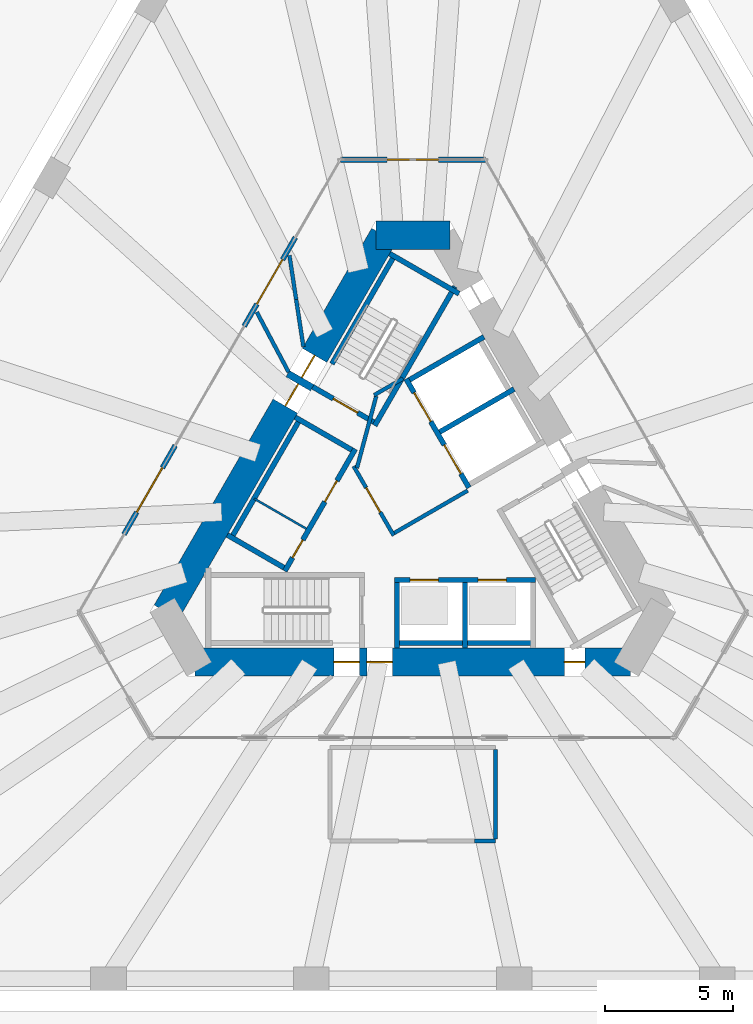
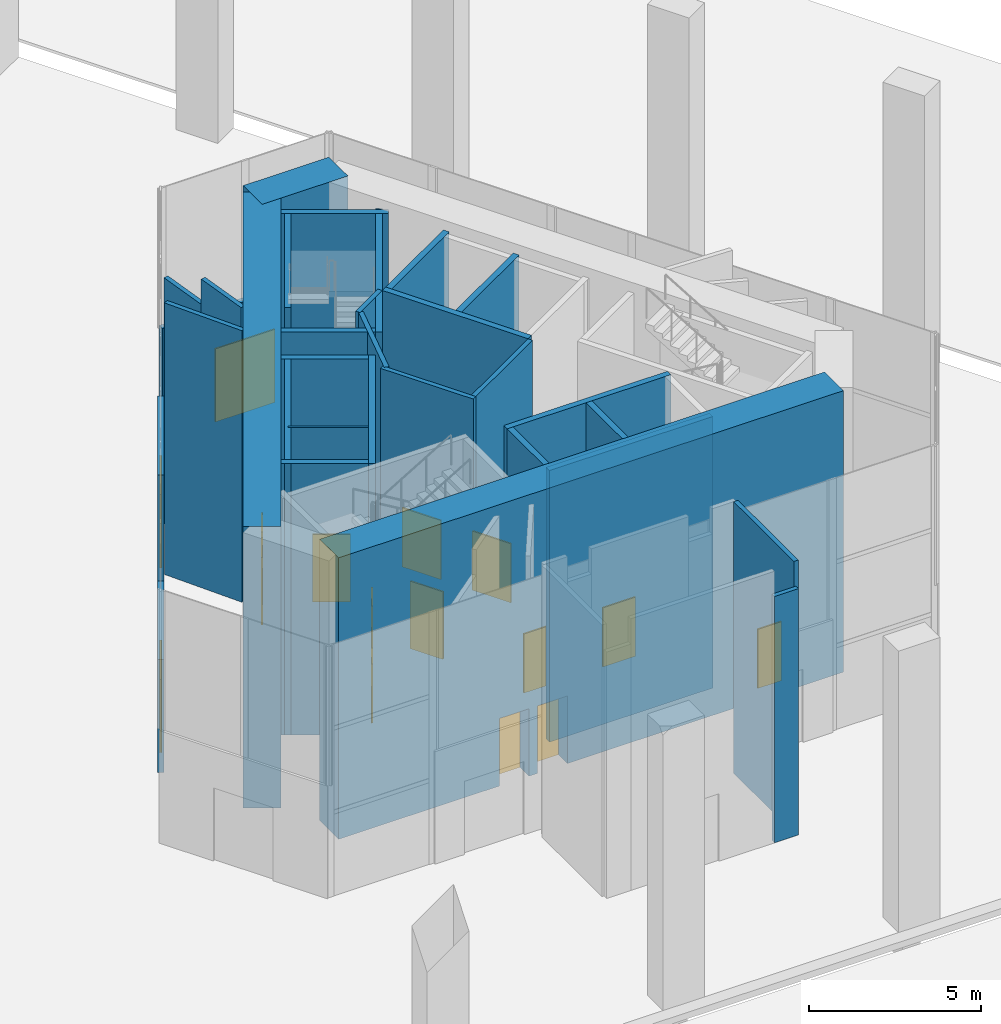
# One storey, part 8 of 13: 31 walls, 16 doors, 16 openings.
"""IFC4 building model written with IfcOpenShell, lengths in metres."""

from ifc_helpers import new_model, si_unit, direction, frame, frame_2d, origin, place, context, subcontext, project, spatial, rectangle, extrude, material, layer, layer_set, type_object, element, fill, save


model = new_model("IFC4")

# Units and contexts
model_context = context("Model", 3, precision=1e-05, world=origin(), true_north=direction((0.0, 1.0)))
body_context = subcontext(model_context, "Body", "Model", "MODEL_VIEW")
ifc_project = project(units=[si_unit("LENGTHUNIT", "METRE"), si_unit("AREAUNIT", "SQUARE_METRE"), si_unit("VOLUMEUNIT", "CUBIC_METRE"), si_unit("PLANEANGLEUNIT", "RADIAN"), si_unit("MASSUNIT", "GRAM", prefix="KILO")], contexts=[model_context])

# Site, building, storey
site_placement = place(None, origin())
site = spatial("IfcSite", under=ifc_project, at=site_placement, CompositionType="ELEMENT")
building_placement = place(site_placement, origin())
building = spatial("IfcBuilding", under=site, at=building_placement, Name="Tramontana Tower", CompositionType="ELEMENT")
storey_placement = place(building_placement, origin())
storey = spatial("IfcBuildingStorey", under=building, at=storey_placement, Name="L00", CompositionType="ELEMENT", Elevation=0.0)

# Wall
ifc_material_1 = material(Name="Concrete 70 MPa", Category="concrete")
ifc_layer_1 = layer(ifc_material_1, 1.10009765625)
ifc_layer_set_1 = layer_set([ifc_layer_1], Name="Core wall 1100 70 MPa")
wall_type_1 = type_object("IfcWallType", Name="Core wall 1100 70 MPa", PredefinedType="SHEAR", material=ifc_layer_set_1)
wall_1_placement = place(storey_placement, frame((1.443359375, 10.449951171875, 0.0), z_axis=(0.0, 0.0, 1.0), x_axis=(-1.0, 0.0, 0.0)))
element("IfcWall", 1, at=wall_1_placement, inside=storey, type_object=wall_type_1, Name="Core wall C0 L00", PredefinedType="SHEAR", context=body_context, shape_type="SweptSolid", body=[
    extrude(rectangle(XDim=2.88671875, YDim=1.10009765625, at=frame_2d((1.443359375, 0.0))), origin(), (0.0, 0.0, 1.0), 10.0),
])

# Wall, openings, doors
wall_2_placement = place(storey_placement, frame((-1.125732421875, 10.449951171875, 0.0), z_axis=(0.0, 0.0, 1.0), x_axis=(-0.500001757713, -0.866024388966, 0.0)))
wall_2 = element("IfcWall", 2, at=wall_2_placement, inside=storey, type_object=wall_type_1, Name="Core wall C1 L00", PredefinedType="SHEAR", context=body_context, shape_type="SweptSolid", body=[
    extrude(rectangle(XDim=16.97412109375, YDim=1.10009765625, at=frame_2d((8.487060546875, 0.0))), origin(), (0.0, 0.0, 1.0), 10.0),
])
opening_1_placement = place(wall_2_placement, frame((5.406982421875, 0.0, 0.0)))
opening_1 = element("IfcOpeningElement", 3, at=opening_1_placement, cuts=wall_2, Name="Opening SE1", PredefinedType="OPENING", context=body_context, shape_type="SweptSolid", body=[
    extrude(rectangle(XDim=1.0, YDim=2.39990234375, at=frame_2d((0.5, 1.199951171875))), frame((0.0, 0.56005859375, 0.0), z_axis=(0.0, -1.0, 0.0), x_axis=(1.0, 0.0, 0.0)), (0.0, 0.0, 1.0), 1.1201171875),
])
opening_2_placement = place(wall_2_placement, frame((6.692138671875, 0.0, 0.0)))
opening_2 = element("IfcOpeningElement", 4, at=opening_2_placement, cuts=wall_2, Name="Opening RG1", PredefinedType="OPENING", context=body_context, shape_type="SweptSolid", body=[
    extrude(rectangle(XDim=1.0, YDim=2.39990234375, at=frame_2d((0.5, 1.199951171875))), frame((0.0, 0.56005859375, 0.0), z_axis=(0.0, -1.0, 0.0), x_axis=(1.0, 0.0, 0.0)), (0.0, 0.0, 1.0), 1.1201171875),
])
ifc_material_2 = material(Name="Painted steel", Category="steel")
door_type_1 = type_object("IfcDoorType", Name="RING DOOR 1000", OperationType="SINGLE_SWING_LEFT", PredefinedType="DOOR", material=ifc_material_2)
door_1_placement = place(opening_2_placement, origin())
door_1 = element("IfcDoor", 5, at=door_1_placement, inside=storey, type_object=door_type_1, Name="Door RG1", OperationType="SINGLE_SWING_LEFT", OverallHeight=2.39990234375, OverallWidth=1.0, PredefinedType="DOOR", context=body_context, shape_type="SweptSolid", body=[
    extrude(rectangle(XDim=1.0, YDim=2.39990234375, at=frame_2d((0.5, 1.199951171875))), frame((0.0, 0.02490234375, 0.0), z_axis=(0.0, -1.0, 0.0), x_axis=(1.0, 0.0, 0.0)), (0.0, 0.0, 1.0), 0.050048828125),
])
fill(opening_2, door_1)
ifc_material_3 = material(Name="Painted steel", Category="steel")
door_type_2 = type_object("IfcDoorType", Name="STAIR DOOR 1100", OperationType="SINGLE_SWING_LEFT", PredefinedType="DOOR", material=ifc_material_3)
door_2_placement = place(opening_1_placement, origin())
door_2 = element("IfcDoor", 6, at=door_2_placement, inside=storey, type_object=door_type_2, Name="Door SE1", OperationType="SINGLE_SWING_LEFT", OverallHeight=2.39990234375, OverallWidth=1.0, PredefinedType="DOOR", context=body_context, shape_type="SweptSolid", body=[
    extrude(rectangle(XDim=1.0, YDim=2.39990234375, at=frame_2d((0.5, 1.199951171875))), frame((0.0, 0.02490234375, 0.0), z_axis=(0.0, -1.0, 0.0), x_axis=(1.0, 0.0, 0.0)), (0.0, 0.0, 1.0), 0.050048828125),
])
fill(opening_1, door_2)

wall_3_placement = place(storey_placement, frame((-8.487060546875, -6.199951171875, 0.0), z_axis=(0.0, 0.0, 1.0), x_axis=(1.0, 0.0, 0.0)))
wall_3 = element("IfcWall", 7, at=wall_3_placement, inside=storey, type_object=wall_type_1, Name="Core wall C3 L00", PredefinedType="SHEAR", context=body_context, shape_type="SweptSolid", body=[
    extrude(rectangle(XDim=16.97412109375, YDim=1.10009765625, at=frame_2d((8.487060546875, 0.0))), origin(), (0.0, 0.0, 1.0), 10.0),
])
opening_3_placement = place(wall_3_placement, frame((5.406982421875, 0.0, 0.0)))
opening_3 = element("IfcOpeningElement", 8, at=opening_3_placement, cuts=wall_3, Name="Opening SE2", PredefinedType="OPENING", context=body_context, shape_type="SweptSolid", body=[
    extrude(rectangle(XDim=1.0, YDim=2.39990234375, at=frame_2d((0.5, 1.199951171875))), frame((0.0, 0.56005859375, 0.0), z_axis=(0.0, -1.0, 0.0), x_axis=(1.0, 0.0, 0.0)), (0.0, 0.0, 1.0), 1.1201171875),
])
opening_4_placement = place(wall_3_placement, frame((6.69189453125, 0.0, 0.0)))
opening_4 = element("IfcOpeningElement", 9, at=opening_4_placement, cuts=wall_3, Name="Opening RG2", PredefinedType="OPENING", context=body_context, shape_type="SweptSolid", body=[
    extrude(rectangle(XDim=1.0, YDim=2.39990234375, at=frame_2d((0.5, 1.199951171875))), frame((0.0, 0.56005859375, 0.0), z_axis=(0.0, -1.0, 0.0), x_axis=(1.0, 0.0, 0.0)), (0.0, 0.0, 1.0), 1.1201171875),
])
opening_5_placement = place(wall_3_placement, frame((14.39697265625, 0.0, 0.0)))
opening_5 = element("IfcOpeningElement", 10, at=opening_5_placement, cuts=wall_3, Name="Opening PD2", PredefinedType="OPENING", context=body_context, shape_type="SweptSolid", body=[
    extrude(rectangle(XDim=0.800048828125, YDim=2.10009765625, at=frame_2d((0.39990234375, 1.050048828125))), frame((0.0, 0.56005859375, 0.0), z_axis=(0.0, -1.0, 0.0), x_axis=(1.0, 0.0, 0.0)), (0.0, 0.0, 1.0), 1.1201171875),
])
ifc_material_4 = material(Name="Painted steel", Category="steel")
door_type_3 = type_object("IfcDoorType", Name="CUPBOARD DOOR 800", OperationType="SINGLE_SWING_LEFT", PredefinedType="DOOR", material=ifc_material_4)
door_3_placement = place(opening_5_placement, origin())
door_3 = element("IfcDoor", 11, at=door_3_placement, inside=storey, type_object=door_type_3, Name="Door PD2", OperationType="SINGLE_SWING_RIGHT", OverallHeight=2.10009765625, OverallWidth=0.800048828125, PredefinedType="DOOR", context=body_context, shape_type="SweptSolid", body=[
    extrude(rectangle(XDim=0.800048828125, YDim=2.10009765625, at=frame_2d((0.39990234375, 1.050048828125))), frame((0.0, 0.02490234375, 0.0), z_axis=(0.0, -1.0, 0.0), x_axis=(1.0, 0.0, 0.0)), (0.0, 0.0, 1.0), 0.050048828125),
])
fill(opening_5, door_3)
door_4_placement = place(opening_4_placement, origin())
door_4 = element("IfcDoor", 12, at=door_4_placement, inside=storey, type_object=door_type_1, Name="Door RG2", OperationType="SINGLE_SWING_RIGHT", OverallHeight=2.39990234375, OverallWidth=1.0, PredefinedType="DOOR", context=body_context, shape_type="SweptSolid", body=[
    extrude(rectangle(XDim=1.0, YDim=2.39990234375, at=frame_2d((0.5, 1.199951171875))), frame((0.0, 0.02490234375, 0.0), z_axis=(0.0, -1.0, 0.0), x_axis=(1.0, 0.0, 0.0)), (0.0, 0.0, 1.0), 0.050048828125),
])
fill(opening_4, door_4)
door_5_placement = place(opening_3_placement, origin())
door_5 = element("IfcDoor", 13, at=door_5_placement, inside=storey, type_object=door_type_2, Name="Door SE2", OperationType="SINGLE_SWING_RIGHT", OverallHeight=2.39990234375, OverallWidth=1.0, PredefinedType="DOOR", context=body_context, shape_type="SweptSolid", body=[
    extrude(rectangle(XDim=1.0, YDim=2.39990234375, at=frame_2d((0.5, 1.199951171875))), frame((0.0, 0.02490234375, 0.0), z_axis=(0.0, -1.0, 0.0), x_axis=(1.0, 0.0, 0.0)), (0.0, 0.0, 1.0), 0.050048828125),
])
fill(opening_3, door_5)

# Wall, opening, door
ifc_material_5 = material(Name="Aluminum extrusion", Category="aluminium")
ifc_layer_2 = layer(ifc_material_5, 0.199951171875)
ifc_layer_set_2 = layer_set([ifc_layer_2], Name="EF1 Entrance frame wall 200")
wall_type_2 = type_object("IfcWallType", Name="EF1 Entrance frame wall 200", PredefinedType="STANDARD", material=ifc_layer_set_2)
wall_4_placement = place(storey_placement, frame((-11.267822265625, -1.216552734375, 0.0), z_axis=(0.0, 0.0, 1.0), x_axis=(0.49999894854, 0.866026010844, 0.0)))
wall_4 = element("IfcWall", 14, at=wall_4_placement, inside=storey, type_object=wall_type_2, Name="Entrance frame 3.1", PredefinedType="STANDARD", context=body_context, shape_type="SweptSolid", body=[
    extrude(rectangle(XDim=4.0, YDim=0.199951171875, at=frame_2d((2.0, 0.0))), origin(), (0.0, 0.0, 1.0), 4.0),
])
opening_6_placement = place(wall_4_placement, frame((1.0, 0.0, 0.0)))
opening_6 = element("IfcOpeningElement", 15, at=opening_6_placement, cuts=wall_4, Name="Opening ED-31", PredefinedType="OPENING", context=body_context, shape_type="SweptSolid", body=[
    extrude(rectangle(XDim=2.0, YDim=2.60009765625, at=frame_2d((1.0, 1.300048828125))), frame((0.0, 0.10986328125, 0.0), z_axis=(0.0, -1.0, 0.0), x_axis=(1.0, 0.0, 0.0)), (0.0, 0.0, 1.0), 0.219970703125),
])
ifc_material_6 = material(Name="Aluminum frame, double glazing unit", Category="aluminium")
door_type_4 = type_object("IfcDoorType", Name="ED1 Entrance door 2000 x 2600", OperationType="DOUBLE_DOOR_SINGLE_SWING", PredefinedType="DOOR", material=ifc_material_6)
door_6_placement = place(opening_6_placement, origin())
door_6 = element("IfcDoor", 16, at=door_6_placement, inside=storey, type_object=door_type_4, Name="Entrance door 3.1", OperationType="DOUBLE_DOOR_SINGLE_SWING", OverallHeight=2.60009765625, OverallWidth=2.0, PredefinedType="DOOR", context=body_context, shape_type="SweptSolid", body=[
    extrude(rectangle(XDim=2.0, YDim=2.60009765625, at=frame_2d((1.0, 1.300048828125))), frame((0.0, 0.02490234375, 0.0), z_axis=(0.0, -1.0, 0.0), x_axis=(1.0, 0.0, 0.0)), (0.0, 0.0, 1.0), 0.050048828125),
])
fill(opening_6, door_6)

wall_5_placement = place(storey_placement, frame((-6.580322265625, 6.90234375, 0.0), z_axis=(0.0, 0.0, 1.0), x_axis=(0.49999894854, 0.866026010844, 0.0)))
wall_5 = element("IfcWall", 17, at=wall_5_placement, inside=storey, type_object=wall_type_2, Name="Entrance frame 3.2", PredefinedType="STANDARD", context=body_context, shape_type="SweptSolid", body=[
    extrude(rectangle(XDim=4.0, YDim=0.199951171875, at=frame_2d((2.0, 0.0))), origin(), (0.0, 0.0, 1.0), 4.0),
])
opening_7_placement = place(wall_5_placement, frame((1.0, 0.0, 0.0)))
opening_7 = element("IfcOpeningElement", 18, at=opening_7_placement, cuts=wall_5, Name="Opening ED-32", PredefinedType="OPENING", context=body_context, shape_type="SweptSolid", body=[
    extrude(rectangle(XDim=2.0, YDim=2.60009765625, at=frame_2d((1.0, 1.300048828125))), frame((0.0, 0.10986328125, 0.0), z_axis=(0.0, -1.0, 0.0), x_axis=(1.0, 0.0, 0.0)), (0.0, 0.0, 1.0), 0.219970703125),
])
door_7_placement = place(opening_7_placement, origin())
door_7 = element("IfcDoor", 19, at=door_7_placement, inside=storey, type_object=door_type_4, Name="Entrance door 3.2", OperationType="DOUBLE_DOOR_SINGLE_SWING", OverallHeight=2.60009765625, OverallWidth=2.0, PredefinedType="DOOR", context=body_context, shape_type="SweptSolid", body=[
    extrude(rectangle(XDim=2.0, YDim=2.60009765625, at=frame_2d((1.0, 1.300048828125))), frame((0.0, 0.02490234375, 0.0), z_axis=(0.0, -1.0, 0.0), x_axis=(1.0, 0.0, 0.0)), (0.0, 0.0, 1.0), 0.050048828125),
])
fill(opening_7, door_7)

wall_6_placement = place(storey_placement, frame((-2.8291015625, 13.39990234375, 0.0), z_axis=(0.0, 0.0, 1.0), x_axis=(1.0, 0.0, 0.0)))
wall_6 = element("IfcWall", 20, at=wall_6_placement, inside=storey, type_object=wall_type_2, Name="Stair exit frame 3", PredefinedType="STANDARD", context=body_context, shape_type="SweptSolid", body=[
    extrude(rectangle(XDim=5.658203125, YDim=0.199951171875, at=frame_2d((2.8291015625, 0.0))), origin(), (0.0, 0.0, 1.0), 4.0),
])
opening_8_placement = place(wall_6_placement, frame((1.8291015625, 0.0, 0.0)))
opening_8 = element("IfcOpeningElement", 21, at=opening_8_placement, cuts=wall_6, Name="Opening ED-43", PredefinedType="OPENING", context=body_context, shape_type="SweptSolid", body=[
    extrude(rectangle(XDim=2.0, YDim=2.60009765625, at=frame_2d((1.0, 1.300048828125))), frame((0.0, 0.10986328125, 0.0), z_axis=(0.0, -1.0, 0.0), x_axis=(1.0, 0.0, 0.0)), (0.0, 0.0, 1.0), 0.219970703125),
])
door_8_placement = place(opening_8_placement, origin())
door_8 = element("IfcDoor", 22, at=door_8_placement, inside=storey, type_object=door_type_4, Name="Stair exit door 3", OperationType="DOUBLE_DOOR_SINGLE_SWING", OverallHeight=2.60009765625, OverallWidth=2.0, PredefinedType="DOOR", context=body_context, shape_type="SweptSolid", body=[
    extrude(rectangle(XDim=2.0, YDim=2.60009765625, at=frame_2d((1.0, 1.300048828125))), frame((0.0, 0.02490234375, 0.0), z_axis=(0.0, -1.0, 0.0), x_axis=(1.0, 0.0, 0.0)), (0.0, 0.0, 1.0), 0.050048828125),
])
fill(opening_8, door_8)

# Walls
ifc_material_7 = material(Name="Blockwork", Category="masonry")
ifc_layer_3 = layer(ifc_material_7, 0.14990234375)
ifc_layer_set_3 = layer_set([ifc_layer_3], Name="ENCLOSURE WALL 150")
wall_type_3 = type_object("IfcWallType", Name="ENCLOSURE WALL 150", PredefinedType="SOLIDWALL", material=ifc_layer_set_3)
wall_7_placement = place(storey_placement, frame((3.22509765625, -13.175048828125, 0.0), z_axis=(0.0, 0.0, 1.0), x_axis=(-1.0, 0.0, 0.0)))
element("IfcWall", 23, at=wall_7_placement, inside=storey, type_object=wall_type_3, Name="Wall fcc-out-0", PredefinedType="SOLIDWALL", context=body_context, shape_type="SweptSolid", body=[
    extrude(rectangle(XDim=0.8095703125, YDim=0.14990234375, at=frame_2d((0.40478515625, 0.0))), origin(), (0.0, 0.0, 1.0), 8.75),
])
wall_8_placement = place(storey_placement, frame((3.22509765625, -9.60009765625, 0.0), z_axis=(0.0, 0.0, 1.0), x_axis=(0.0, -1.0, 0.0)))
element("IfcWall", 24, at=wall_8_placement, inside=storey, type_object=wall_type_3, Name="Wall fcc-e0", PredefinedType="SOLIDWALL", context=body_context, shape_type="SweptSolid", body=[
    extrude(rectangle(XDim=3.5, YDim=0.14990234375, at=frame_2d((1.75, 0.0))), origin(), (0.0, 0.0, 1.0), 9.64990234375),
])
ifc_material_8 = material(Name="Gypsum board partition")
ifc_layer_4 = layer(ifc_material_8, 0.14990234375)
ifc_layer_set_4 = layer_set([ifc_layer_4], Name="PARTITION 150")
wall_type_4 = type_object("IfcWallType", Name="PARTITION 150", PredefinedType="PARTITIONING", material=ifc_layer_set_4)
wall_9_placement = place(storey_placement, frame((-4.26806640625, 6.107421875, 0.0), z_axis=(0.0, 0.0, 1.0), x_axis=(-0.151020047148, 0.988530700261, 0.0)))
element("IfcWall", 25, at=wall_9_placement, inside=storey, type_object=wall_type_4, Name="Wall exitp1-l-0", PredefinedType="PARTITIONING", context=body_context, shape_type="SweptSolid", body=[
    extrude(rectangle(XDim=1.857421875, YDim=0.14990234375, at=frame_2d((0.9287109375, 0.0))), origin(), (0.0, 0.0, 1.0), 9.64990234375),
])
wall_10_placement = place(storey_placement, frame((-4.548583984375, 7.943603515625, 0.0), z_axis=(0.0, 0.0, 1.0), x_axis=(-0.151067241463, 0.988523489127, 0.0)))
element("IfcWall", 26, at=wall_10_placement, inside=storey, type_object=wall_type_4, Name="Wall exitp1-l-1", PredefinedType="PARTITIONING", context=body_context, shape_type="SweptSolid", body=[
    extrude(rectangle(XDim=1.7421875, YDim=0.14990234375, at=frame_2d((0.87109375, 0.0))), origin(), (0.0, 0.0, 1.0), 8.75),
])
wall_11_placement = place(storey_placement, frame((-4.84326171875, 5.111328125, 0.0), z_axis=(0.0, 0.0, 1.0), x_axis=(-0.468272102551, 0.883584312883, 0.0)))
element("IfcWall", 27, at=wall_11_placement, inside=storey, type_object=wall_type_4, Name="Wall exitp1-r", PredefinedType="PARTITIONING", context=body_context, shape_type="SweptSolid", body=[
    extrude(rectangle(XDim=2.6552734375, YDim=0.14990234375, at=frame_2d((1.32763671875, 0.0))), origin(), (0.0, 0.0, 1.0), 9.64990234375),
])

# Wall, opening, door
wall_12_placement = place(storey_placement, frame((-0.744140625, -1.260986328125, 0.0), z_axis=(0.0, 0.0, 1.0), x_axis=(-0.500004234368, 0.866022959057, 0.0)))
wall_12 = element("IfcWall", 28, at=wall_12_placement, inside=storey, type_object=wall_type_4, Name="Wall ff-front", PredefinedType="PARTITIONING", context=body_context, shape_type="SweptSolid", body=[
    extrude(rectangle(XDim=3.125, YDim=0.14990234375, at=frame_2d((1.5625, 0.0))), origin(), (0.0, 0.0, 1.0), 9.64990234375),
])
opening_9_placement = place(wall_12_placement, frame((1.050048828125, 0.0, 0.0)))
opening_9 = element("IfcOpeningElement", 29, at=opening_9_placement, cuts=wall_12, Name="Opening FD1", PredefinedType="OPENING", context=body_context, shape_type="SweptSolid", body=[
    extrude(rectangle(XDim=1.10009765625, YDim=2.39990234375, at=frame_2d((0.550048828125, 1.199951171875))), frame((0.0, 0.0849609375, 0.0), z_axis=(0.0, -1.0, 0.0), x_axis=(1.0, 0.0, 0.0)), (0.0, 0.0, 1.0), 0.169921875),
])
ifc_material_9 = material(Name="Painted timber", Category="wood")
door_type_5 = type_object("IfcDoorType", Name="DOOR ENTRY 1100", OperationType="SINGLE_SWING_LEFT", PredefinedType="DOOR", material=ifc_material_9)
door_9_placement = place(opening_9_placement, origin())
door_9 = element("IfcDoor", 30, at=door_9_placement, inside=storey, type_object=door_type_5, Name="Door FD1", OperationType="SINGLE_SWING_RIGHT", OverallHeight=2.39990234375, OverallWidth=1.10009765625, PredefinedType="DOOR", context=body_context, shape_type="SweptSolid", body=[
    extrude(rectangle(XDim=1.10009765625, YDim=2.39990234375, at=frame_2d((0.550048828125, 1.199951171875))), frame((0.0, 0.02490234375, 0.0), z_axis=(0.0, -1.0, 0.0), x_axis=(1.0, 0.0, 0.0)), (0.0, 0.0, 1.0), 0.050048828125),
])
fill(opening_9, door_9)

# Walls
wall_13_placement = place(storey_placement, frame((-0.716796875, -1.15869140625, 0.0), z_axis=(0.0, 0.0, 1.0), x_axis=(0.866008176907, 0.50002983664, 0.0)))
element("IfcWall", 31, at=wall_13_placement, inside=storey, type_object=wall_type_4, Name="Wall ff-end0", PredefinedType="PARTITIONING", context=body_context, shape_type="SweptSolid", body=[
    extrude(rectangle(XDim=3.300048828125, YDim=0.14990234375, at=frame_2d((1.64990234375, 0.0))), origin(), (0.0, 0.0, 1.0), 9.64990234375),
])
wall_14_placement = place(storey_placement, frame((-2.177978515625, 1.372314453125, 0.0), z_axis=(0.0, 0.0, 1.0), x_axis=(0.258808958833, 0.96592852884, 0.0)))
element("IfcWall", 32, at=wall_14_placement, inside=storey, type_object=wall_type_4, Name="Wall ff-diag", PredefinedType="PARTITIONING", context=body_context, shape_type="SweptSolid", body=[
    extrude(rectangle(XDim=2.902587890625, YDim=0.14990234375, at=frame_2d((1.451171875, 0.0))), origin(), (0.0, 0.0, 1.0), 9.64990234375),
])
wall_15_placement = place(storey_placement, frame((-1.509765625, 4.21484375, 0.0), z_axis=(0.0, 0.0, 1.0), x_axis=(0.866085525409, 0.49989585183, 0.0)))
element("IfcWall", 33, at=wall_15_placement, inside=storey, type_object=wall_type_4, Name="Wall ff-end1", PredefinedType="PARTITIONING", context=body_context, shape_type="SweptSolid", body=[
    extrude(rectangle(XDim=1.300048828125, YDim=0.14990234375, at=frame_2d((0.64990234375, 0.0))), origin(), (0.0, 0.0, 1.0), 9.64990234375),
])
ifc_material_10 = material(Name="Gypsum board partition")
ifc_layer_5 = layer(ifc_material_10, 0.080078125)
ifc_layer_set_5 = layer_set([ifc_layer_5], Name="PARTITION 80")
wall_type_5 = type_object("IfcWallType", Name="PARTITION 80", PredefinedType="PARTITIONING", material=ifc_layer_set_5)
wall_16_placement = place(storey_placement, frame((-4.15478515625, -0.99609375, 0.0), z_axis=(0.0, 0.0, 1.0), x_axis=(-0.866016039709, 0.500016218704, 0.0)))
element("IfcWall", 34, at=wall_16_placement, inside=storey, type_object=wall_type_5, Name="Wall row0-split", PredefinedType="PARTITIONING", context=body_context, shape_type="SweptSolid", body=[
    extrude(rectangle(XDim=2.35009765625, YDim=0.080078125, at=frame_2d((1.175048828125, 0.0))), origin(), (0.0, 0.0, 1.0), 9.64990234375),
])
ifc_material_11 = material(Name="Concrete 70 MPa", Category="concrete")
ifc_layer_6 = layer(ifc_material_11, 0.199951171875)
ifc_layer_set_6 = layer_set([ifc_layer_6], Name="Concrete 70 MPa, 200 mm")
wall_type_6 = type_object("IfcWallType", Name="RC SHAFT BACK WALL 200", PredefinedType="SOLIDWALL", material=ifc_layer_set_6)
wall_17_placement = place(storey_placement, frame((-0.679931640625, 9.722412109375, 0.0), z_axis=(0.0, 0.0, 1.0), x_axis=(-0.499974350878, -0.866040211805, 0.0)))
element("IfcWall", 35, at=wall_17_placement, inside=storey, type_object=wall_type_6, Name="Wall st1-back", PredefinedType="SOLIDWALL", context=body_context, shape_type="SweptSolid", body=[
    extrude(rectangle(XDim=4.949951171875, YDim=0.199951171875, at=frame_2d((2.47509765625, 0.0))), origin(), (0.0, 0.0, 1.0), 9.64990234375),
])
for number, where, z_axis, x_axis, name in (
    (36, (-4.36474609375, 3.33984375, 0.0), (0.0, 0.0, 1.0), (-0.499996545922, -0.866027397988, 0.0), "Wall row0-back"),
    (37, (-0.7099609375, -5.449951171875, 0.0), (0.0, 0.0, 1.0), (1.0, 0.0, 0.0), "Wall row1-back"),
):
    element("IfcWall", number, at=place(storey_placement, frame(where, z_axis=z_axis, x_axis=x_axis)), inside=storey, type_object=wall_type_6, Name=name, PredefinedType="SOLIDWALL", context=body_context, shape_type="SweptSolid", body=[
        extrude(rectangle(XDim=5.5, YDim=0.199951171875, at=frame_2d((2.75, 0.0))), origin(), (0.0, 0.0, 1.0), 9.64990234375),
    ])
ifc_material_12 = material(Name="Concrete 70 MPa", Category="concrete")
ifc_layer_7 = layer(ifc_material_12, 0.199951171875)
ifc_layer_set_7 = layer_set([ifc_layer_7], Name="Concrete 70 MPa, 200 mm")
wall_type_7 = type_object("IfcWallType", Name="RC STAIR AND SHAFT WALL 200", PredefinedType="SOLIDWALL", material=ifc_layer_set_7)
wall_18_placement = place(storey_placement, frame((1.6455078125, 8.449951171875, 0.0), z_axis=(0.0, 0.0, 1.0), x_axis=(-0.500006002103, -0.866021938441, 0.0)))
element("IfcWall", 38, at=wall_18_placement, inside=storey, type_object=wall_type_7, Name="Wall st1-front", PredefinedType="SOLIDWALL", context=body_context, shape_type="SweptSolid", body=[
    extrude(rectangle(XDim=6.2607421875, YDim=0.199951171875, at=frame_2d((3.13037109375, 0.0))), origin(), (0.0, 0.0, 1.0), 9.64990234375),
])
wall_19_placement = place(storey_placement, frame((1.80615234375, 8.171875, 0.0), z_axis=(0.0, 0.0, 1.0), x_axis=(-0.866054327916, 0.499949898588, 0.0)))
element("IfcWall", 39, at=wall_19_placement, inside=storey, type_object=wall_type_7, Name="Wall st1-far", PredefinedType="SOLIDWALL", context=body_context, shape_type="SweptSolid", body=[
    extrude(rectangle(XDim=3.128173828125, YDim=0.199951171875, at=frame_2d((1.56396484375, 0.0))), origin(), (0.0, 0.0, 1.0), 9.64990234375),
])

# Wall, opening, door
wall_20_placement = place(storey_placement, frame((-1.521484375, 3.164794921875, 0.0), z_axis=(0.0, 0.0, 1.0), x_axis=(-0.866027397988, 0.499996545922, 0.0)))
wall_20 = element("IfcWall", 40, at=wall_20_placement, inside=storey, type_object=wall_type_7, Name="Wall st1-near", PredefinedType="SOLIDWALL", context=body_context, shape_type="SweptSolid", body=[
    extrude(rectangle(XDim=2.75, YDim=0.199951171875, at=frame_2d((1.375, 0.0))), origin(), (0.0, 0.0, 1.0), 9.64990234375),
])
opening_10_placement = place(wall_20_placement, frame((0.72509765625, 0.0, 0.0)))
opening_10 = element("IfcOpeningElement", 41, at=opening_10_placement, cuts=wall_20, Name="Opening SD1", PredefinedType="OPENING", context=body_context, shape_type="SweptSolid", body=[
    extrude(rectangle(XDim=1.10009765625, YDim=2.39990234375, at=frame_2d((0.550048828125, 1.199951171875))), frame((0.0, 0.10986328125, 0.0), z_axis=(0.0, -1.0, 0.0), x_axis=(1.0, 0.0, 0.0)), (0.0, 0.0, 1.0), 0.219970703125),
])
door_10_placement = place(opening_10_placement, origin())
door_10 = element("IfcDoor", 42, at=door_10_placement, inside=storey, type_object=door_type_2, Name="Door SD1", OperationType="SINGLE_SWING_RIGHT", OverallHeight=2.39990234375, OverallWidth=1.10009765625, PredefinedType="DOOR", context=body_context, shape_type="SweptSolid", body=[
    extrude(rectangle(XDim=1.10009765625, YDim=2.39990234375, at=frame_2d((0.550048828125, 1.199951171875))), frame((0.0, 0.02490234375, 0.0), z_axis=(0.0, -1.0, 0.0), x_axis=(1.0, 0.0, 0.0)), (0.0, 0.0, 1.0), 0.050048828125),
])
fill(opening_10, door_10)

# Wall, openings, doors
wall_21_placement = place(storey_placement, frame((-4.9931640625, -2.648193359375, 0.0), z_axis=(0.0, 0.0, 1.0), x_axis=(0.499996545922, 0.866027397988, 0.0)))
wall_21 = element("IfcWall", 43, at=wall_21_placement, inside=storey, type_object=wall_type_7, Name="Wall row0-front", PredefinedType="SOLIDWALL", context=body_context, shape_type="SweptSolid", body=[
    extrude(rectangle(XDim=5.5, YDim=0.199951171875, at=frame_2d((2.75, 0.0))), origin(), (0.0, 0.0, 1.0), 9.64990234375),
])
opening_11_placement = place(wall_21_placement, frame((3.1201171875, 0.0, 0.0)))
opening_11 = element("IfcOpeningElement", 44, at=opening_11_placement, cuts=wall_21, Name="Opening RD-0A", PredefinedType="OPENING", context=body_context, shape_type="SweptSolid", body=[
    extrude(rectangle(XDim=0.949951171875, YDim=2.39990234375, at=frame_2d((0.47509765625, 1.199951171875))), frame((0.0, 0.10986328125, 0.0), z_axis=(0.0, -1.0, 0.0), x_axis=(1.0, 0.0, 0.0)), (0.0, 0.0, 1.0), 0.219970703125),
])
opening_12_placement = place(wall_21_placement, frame((0.60498046875, 0.0, 0.0)))
opening_12 = element("IfcOpeningElement", 45, at=opening_12_placement, cuts=wall_21, Name="Opening RD-0B", PredefinedType="OPENING", context=body_context, shape_type="SweptSolid", body=[
    extrude(rectangle(XDim=0.800048828125, YDim=2.10009765625, at=frame_2d((0.39990234375, 1.050048828125))), frame((0.0, 0.10986328125, 0.0), z_axis=(0.0, -1.0, 0.0), x_axis=(1.0, 0.0, 0.0)), (0.0, 0.0, 1.0), 0.219970703125),
])
door_11_placement = place(opening_12_placement, origin())
door_11 = element("IfcDoor", 46, at=door_11_placement, inside=storey, type_object=door_type_3, Name="Door RD-0B", OperationType="SINGLE_SWING_RIGHT", OverallHeight=2.10009765625, OverallWidth=0.800048828125, PredefinedType="DOOR", context=body_context, shape_type="SweptSolid", body=[
    extrude(rectangle(XDim=0.800048828125, YDim=2.10009765625, at=frame_2d((0.39990234375, 1.050048828125))), frame((0.0, 0.02490234375, 0.0), z_axis=(0.0, -1.0, 0.0), x_axis=(1.0, 0.0, 0.0)), (0.0, 0.0, 1.0), 0.050048828125),
])
fill(opening_12, door_11)
ifc_material_13 = material(Name="Painted timber", Category="wood")
door_type_6 = type_object("IfcDoorType", Name="DOOR ROOM 950", OperationType="SINGLE_SWING_LEFT", PredefinedType="DOOR", material=ifc_material_13)
door_12_placement = place(opening_11_placement, origin())
door_12 = element("IfcDoor", 47, at=door_12_placement, inside=storey, type_object=door_type_6, Name="Door RD-0A", OperationType="SINGLE_SWING_LEFT", OverallHeight=2.39990234375, OverallWidth=0.949951171875, PredefinedType="DOOR", context=body_context, shape_type="SweptSolid", body=[
    extrude(rectangle(XDim=0.949951171875, YDim=2.39990234375, at=frame_2d((0.47509765625, 1.199951171875))), frame((0.0, 0.02490234375, 0.0), z_axis=(0.0, -1.0, 0.0), x_axis=(1.0, 0.0, 0.0)), (0.0, 0.0, 1.0), 0.050048828125),
])
fill(opening_11, door_12)

# Walls
for number, where, z_axis, x_axis, name in (
    (48, (-2.379638671875, 2.078369140625, 0.0), (0.0, 0.0, 1.0), (-0.866054858364, 0.499948979701, 0.0), "Wall row0-side0"),
    (49, (-5.02978515625, -2.51171875, 0.0), (0.0, 0.0, 1.0), (-0.865989465428, 0.500062241894, 0.0), "Wall row0-side2"),
):
    element("IfcWall", number, at=place(storey_placement, frame(where, z_axis=z_axis, x_axis=x_axis)), inside=storey, type_object=wall_type_7, Name=name, PredefinedType="SOLIDWALL", context=body_context, shape_type="SweptSolid", body=[
        extrude(rectangle(XDim=2.550048828125, YDim=0.199951171875, at=frame_2d((1.27490234375, 0.0))), origin(), (0.0, 0.0, 1.0), 9.64990234375),
    ])

# Wall, openings, doors
wall_22_placement = place(storey_placement, frame((-0.7099609375, -3.0, 0.0), z_axis=(0.0, 0.0, 1.0), x_axis=(1.0, 0.0, 0.0)))
wall_22 = element("IfcWall", 50, at=wall_22_placement, inside=storey, type_object=wall_type_7, Name="Wall row1-front", PredefinedType="SOLIDWALL", context=body_context, shape_type="SweptSolid", body=[
    extrude(rectangle(XDim=5.5, YDim=0.199951171875, at=frame_2d((2.75, 0.0))), origin(), (0.0, 0.0, 1.0), 9.64990234375),
])
opening_13_placement = place(wall_22_placement, frame((0.610107421875, 0.0, 0.0)))
opening_13 = element("IfcOpeningElement", 51, at=opening_13_placement, cuts=wall_22, Name="Opening LD-S1", PredefinedType="OPENING", context=body_context, shape_type="SweptSolid", body=[
    extrude(rectangle(XDim=1.10009765625, YDim=2.10009765625, at=frame_2d((0.550048828125, 1.050048828125))), frame((0.0, 0.10986328125, 0.0), z_axis=(0.0, -1.0, 0.0), x_axis=(1.0, 0.0, 0.0)), (0.0, 0.0, 1.0), 0.219970703125),
])
opening_14_placement = place(wall_22_placement, frame((3.260009765625, 0.0, 0.0)))
opening_14 = element("IfcOpeningElement", 52, at=opening_14_placement, cuts=wall_22, Name="Opening LD-S2", PredefinedType="OPENING", context=body_context, shape_type="SweptSolid", body=[
    extrude(rectangle(XDim=1.10009765625, YDim=2.10009765625, at=frame_2d((0.550048828125, 1.050048828125))), frame((0.0, 0.10986328125, 0.0), z_axis=(0.0, -1.0, 0.0), x_axis=(1.0, 0.0, 0.0)), (0.0, 0.0, 1.0), 0.219970703125),
])
ifc_material_14 = material(Name="Brushed steel", Category="steel")
door_type_7 = type_object("IfcDoorType", Name="LANDING DOOR 1100", OperationType="SINGLE_SWING_LEFT", PredefinedType="DOOR", material=ifc_material_14)
door_13_placement = place(opening_13_placement, origin())
door_13 = element("IfcDoor", 53, at=door_13_placement, inside=storey, type_object=door_type_7, Name="Door LD-S1", OperationType="SLIDING_TO_LEFT", OverallHeight=2.10009765625, OverallWidth=1.10009765625, PredefinedType="DOOR", context=body_context, shape_type="SweptSolid", body=[
    extrude(rectangle(XDim=1.10009765625, YDim=2.10009765625, at=frame_2d((0.550048828125, 1.050048828125))), frame((0.0, 0.02490234375, 0.0), z_axis=(0.0, -1.0, 0.0), x_axis=(1.0, 0.0, 0.0)), (0.0, 0.0, 1.0), 0.050048828125),
])
fill(opening_13, door_13)
door_14_placement = place(opening_14_placement, origin())
door_14 = element("IfcDoor", 54, at=door_14_placement, inside=storey, type_object=door_type_7, Name="Door LD-S2", OperationType="SLIDING_TO_RIGHT", OverallHeight=2.10009765625, OverallWidth=1.10009765625, PredefinedType="DOOR", context=body_context, shape_type="SweptSolid", body=[
    extrude(rectangle(XDim=1.10009765625, YDim=2.10009765625, at=frame_2d((0.550048828125, 1.050048828125))), frame((0.0, 0.02490234375, 0.0), z_axis=(0.0, -1.0, 0.0), x_axis=(1.0, 0.0, 0.0)), (0.0, 0.0, 1.0), 0.050048828125),
])
fill(opening_14, door_14)

# Walls
for number, where, z_axis, x_axis, name in (
    (55, (-0.610107421875, -3.10009765625, 0.0), (0.0, 0.0, 1.0), (0.0, -1.0, 0.0), "Wall row1-side0"),
    (56, (2.0400390625, -3.10009765625, 0.0), (0.0, 0.0, 1.0), (0.0, -1.0, 0.0), "Wall row1-side1"),
):
    element("IfcWall", number, at=place(storey_placement, frame(where, z_axis=z_axis, x_axis=x_axis)), inside=storey, type_object=wall_type_7, Name=name, PredefinedType="SOLIDWALL", context=body_context, shape_type="SweptSolid", body=[
        extrude(rectangle(XDim=2.5498046875, YDim=0.199951171875, at=frame_2d((1.27490234375, 0.0))), origin(), (0.0, 0.0, 1.0), 9.64990234375),
    ])

# Wall, openings, doors
wall_23_placement = place(storey_placement, frame((2.190185546875, 0.6064453125, 0.0), z_axis=(0.0, 0.0, 1.0), x_axis=(-0.500002801628, 0.866023786258, 0.0)))
wall_23 = element("IfcWall", 57, at=wall_23_placement, inside=storey, type_object=wall_type_7, Name="Wall row2-front", PredefinedType="SOLIDWALL", context=body_context, shape_type="SweptSolid", body=[
    extrude(rectangle(XDim=4.89990234375, YDim=0.199951171875, at=frame_2d((2.449951171875, 0.0))), origin(), (0.0, 0.0, 1.0), 9.64990234375),
])
opening_15_placement = place(wall_23_placement, frame((0.625, 0.0, 0.0)))
opening_15 = element("IfcOpeningElement", 58, at=opening_15_placement, cuts=wall_23, Name="Opening LD-F1", PredefinedType="OPENING", context=body_context, shape_type="SweptSolid", body=[
    extrude(rectangle(XDim=1.300048828125, YDim=2.10009765625, at=frame_2d((0.64990234375, 1.050048828125))), frame((0.0, 0.10986328125, 0.0), z_axis=(0.0, -1.0, 0.0), x_axis=(1.0, 0.0, 0.0)), (0.0, 0.0, 1.0), 0.219970703125),
])
opening_16_placement = place(wall_23_placement, frame((2.97509765625, 0.0, 0.0)))
opening_16 = element("IfcOpeningElement", 59, at=opening_16_placement, cuts=wall_23, Name="Opening LD-F2", PredefinedType="OPENING", context=body_context, shape_type="SweptSolid", body=[
    extrude(rectangle(XDim=1.300048828125, YDim=2.10009765625, at=frame_2d((0.64990234375, 1.050048828125))), frame((0.0, 0.10986328125, 0.0), z_axis=(0.0, -1.0, 0.0), x_axis=(1.0, 0.0, 0.0)), (0.0, 0.0, 1.0), 0.219970703125),
])
ifc_material_15 = material(Name="Brushed steel", Category="steel")
door_type_8 = type_object("IfcDoorType", Name="LANDING DOOR 1300", OperationType="SINGLE_SWING_LEFT", PredefinedType="DOOR", material=ifc_material_15)
door_15_placement = place(opening_15_placement, origin())
door_15 = element("IfcDoor", 60, at=door_15_placement, inside=storey, type_object=door_type_8, Name="Door LD-F1", OperationType="SLIDING_TO_LEFT", OverallHeight=2.10009765625, OverallWidth=1.300048828125, PredefinedType="DOOR", context=body_context, shape_type="SweptSolid", body=[
    extrude(rectangle(XDim=1.300048828125, YDim=2.10009765625, at=frame_2d((0.64990234375, 1.050048828125))), frame((0.0, 0.02490234375, 0.0), z_axis=(0.0, -1.0, 0.0), x_axis=(1.0, 0.0, 0.0)), (0.0, 0.0, 1.0), 0.050048828125),
])
fill(opening_15, door_15)
door_16_placement = place(opening_16_placement, origin())
door_16 = element("IfcDoor", 61, at=door_16_placement, inside=storey, type_object=door_type_8, Name="Door LD-F2", OperationType="SLIDING_TO_RIGHT", OverallHeight=2.10009765625, OverallWidth=1.300048828125, PredefinedType="DOOR", context=body_context, shape_type="SweptSolid", body=[
    extrude(rectangle(XDim=1.300048828125, YDim=2.10009765625, at=frame_2d((0.64990234375, 1.050048828125))), frame((0.0, 0.02490234375, 0.0), z_axis=(0.0, -1.0, 0.0), x_axis=(1.0, 0.0, 0.0)), (0.0, 0.0, 1.0), 0.050048828125),
])
fill(opening_16, door_16)

# Walls
wall_24_placement = place(storey_placement, frame((1.0517578125, 2.778076171875, 0.0), z_axis=(0.0, 0.0, 1.0), x_axis=(0.866032680314, 0.499987396469, 0.0)))
element("IfcWall", 62, at=wall_24_placement, inside=storey, type_object=wall_type_7, Name="Wall row2-side1", PredefinedType="SOLIDWALL", context=body_context, shape_type="SweptSolid", body=[
    extrude(rectangle(XDim=3.35009765625, YDim=0.199951171875, at=frame_2d((1.675048828125, 0.0))), origin(), (0.0, 0.0, 1.0), 9.64990234375),
])
wall_25_placement = place(storey_placement, frame((-0.123046875, 4.813232421875, 0.0), z_axis=(0.0, 0.0, 1.0), x_axis=(0.866014461049, 0.500018952895, 0.0)))
element("IfcWall", 63, at=wall_25_placement, inside=storey, type_object=wall_type_7, Name="Wall row2-side2", PredefinedType="SOLIDWALL", context=body_context, shape_type="SweptSolid", body=[
    extrude(rectangle(XDim=3.349853515625, YDim=0.199951171875, at=frame_2d((1.6748046875, 0.0))), origin(), (0.0, 0.0, 1.0), 9.64990234375),
])

save(model, "model.ifc")
